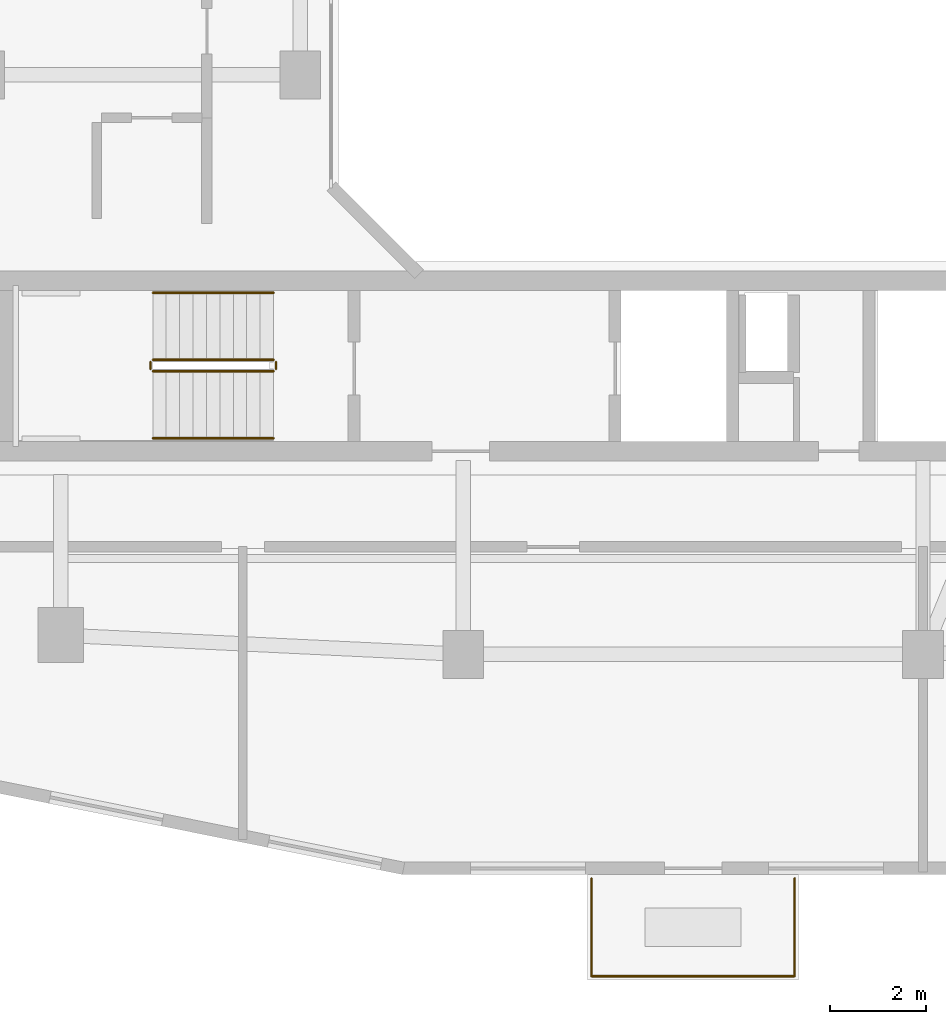
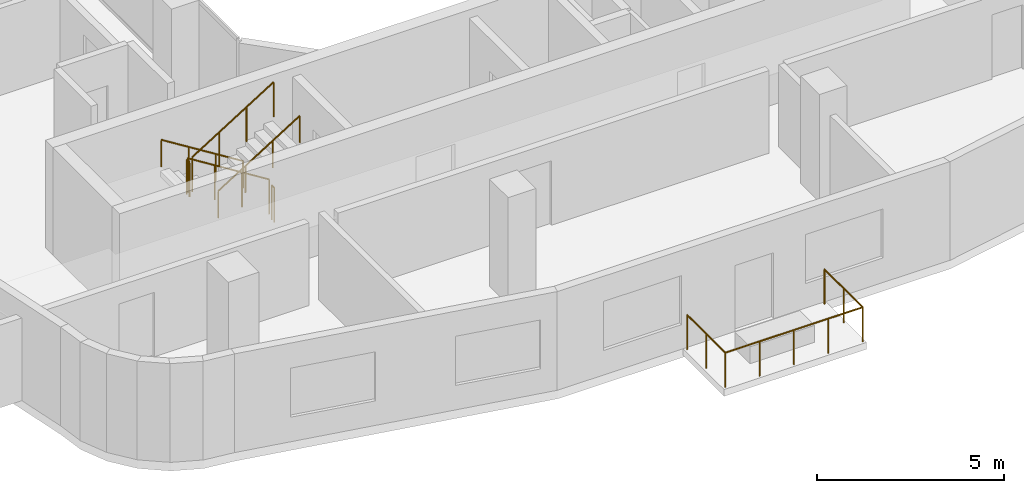
# One storey, part 18 of 22: 9 railings.
"""IFC4 building model written with IfcOpenShell, lengths in metres."""

from ifc_helpers import new_model, si_unit, derived_unit, direction, frame, origin, origin_2d, place, context, subcontext, project, spatial, circle, extrude, material, type_object, element, save


model = new_model("IFC4")

# Units and contexts
model_context = context("Model", 3, precision=1e-05, world=origin(), true_north=direction((0.0, 1.0)))
body_context = subcontext(model_context, "Body", "Model", "MODEL_VIEW")
ifc_project = project(units=[si_unit("LENGTHUNIT", "METRE"), si_unit("AREAUNIT", "SQUARE_METRE"), si_unit("VOLUMEUNIT", "CUBIC_METRE"), si_unit("PLANEANGLEUNIT", "RADIAN"), si_unit("MASSUNIT", "GRAM", prefix="KILO"), derived_unit("THERMALTRANSMITTANCEUNIT", [(si_unit("POWERUNIT", "WATT"), 1), (si_unit("LENGTHUNIT", "METRE"), -2), (si_unit("THERMODYNAMICTEMPERATUREUNIT", "KELVIN"), -1)])], contexts=[model_context])

# Site, building, storey
site_placement = place(None, origin())
site = spatial("IfcSite", under=ifc_project, at=site_placement, CompositionType="ELEMENT")
building_placement = place(site_placement, origin())
building = spatial("IfcBuilding", under=site, at=building_placement, Name="Kivonza Crest Hotel", CompositionType="ELEMENT")
storey_placement = place(building_placement, frame((0.0, 0.0, 112.5)))
storey = spatial("IfcBuildingStorey", under=building, at=storey_placement, Name="L30", CompositionType="ELEMENT", Elevation=112.5)

# Railings
ifc_material_1 = material(Name="Brushed stainless steel handrail", Category="steel")
railing_type_1 = type_object("IfcRailingType", Name="RL-HAND-900", PredefinedType="HANDRAIL", material=ifc_material_1)
railing_1_placement = place(storey_placement, frame((12.239990234375, 16.949951171875, 0.175048828125)))
element("IfcRailing", 1, at=railing_1_placement, inside=storey, type_object=railing_type_1, Name="L30 ST-T1-S stair handrail 1", PredefinedType="HANDRAIL", context=body_context, shape_type="SweptSolid", body=[
    extrude(circle(Radius=0.02392578125, at=origin_2d()), frame((0.0, 0.0, 0.8759765625), z_axis=(-0.848007534815, 0.0, 0.529984170421), x_axis=(0.0, -1.0, 0.0)), (0.0, 0.0, 1.0), 2.9716796875),
    extrude(circle(Radius=0.02099609375, at=origin_2d()), origin(), (0.0, 0.0, 1.0), 0.851806640625),
    extrude(circle(Radius=0.02099609375, at=origin_2d()), frame((-0.840087890625, 0.0, 0.52490234375)), (0.0, 0.0, 1.0), 0.851806640625),
    extrude(circle(Radius=0.02099609375, at=origin_2d()), frame((-1.679931640625, 0.0, 1.050048828125)), (0.0, 0.0, 1.0), 0.851806640625),
    extrude(circle(Radius=0.02099609375, at=origin_2d()), frame((-2.52001953125, 0.0, 1.574951171875)), (0.0, 0.0, 1.0), 0.851806640625),
])
railing_2_placement = place(storey_placement, frame((9.719970703125, 13.909912109375, 1.925048828125)))
element("IfcRailing", 2, at=railing_2_placement, inside=storey, type_object=railing_type_1, Name="L30 ST-T1-S stair handrail 2", PredefinedType="HANDRAIL", context=body_context, shape_type="SweptSolid", body=[
    extrude(circle(Radius=0.02392578125, at=origin_2d()), frame((0.0, 0.0, 0.8759765625), z_axis=(0.848007534815, 0.0, 0.529984170421), x_axis=(0.0, 1.0, 0.0)), (0.0, 0.0, 1.0), 2.9716796875),
    extrude(circle(Radius=0.02099609375, at=origin_2d()), origin(), (0.0, 0.0, 1.0), 0.851806640625),
    extrude(circle(Radius=0.02099609375, at=origin_2d()), frame((0.840087890625, 0.0, 0.52490234375)), (0.0, 0.0, 1.0), 0.851806640625),
    extrude(circle(Radius=0.02099609375, at=origin_2d()), frame((1.679931640625, 0.0, 1.050048828125)), (0.0, 0.0, 1.0), 0.851806640625),
    extrude(circle(Radius=0.02099609375, at=origin_2d()), frame((2.52001953125, 0.0, 1.574951171875)), (0.0, 0.0, 1.0), 0.851806640625),
])
ifc_material_2 = material(Name="Painted steel balustrade", Category="steel")
railing_type_2 = type_object("IfcRailingType", Name="RL-STAIR-1150", PredefinedType="BALUSTRADE", material=ifc_material_2)
railing_3_placement = place(storey_placement, frame((12.239990234375, 15.550048828125, 0.175048828125)))
element("IfcRailing", 3, at=railing_3_placement, inside=storey, type_object=railing_type_2, Name="L30 ST-T1-S stair guard 1", PredefinedType="BALUSTRADE", context=body_context, shape_type="SweptSolid", body=[
    extrude(circle(Radius=0.02392578125, at=origin_2d()), frame((0.0, 0.0, 1.1259765625), z_axis=(-0.848007534815, 0.0, 0.529984170421), x_axis=(0.0, -1.0, 0.0)), (0.0, 0.0, 1.0), 2.9716796875),
    extrude(circle(Radius=0.02099609375, at=origin_2d()), origin(), (0.0, 0.0, 1.0), 1.101806640625),
    extrude(circle(Radius=0.02099609375, at=origin_2d()), frame((-0.840087890625, 0.0, 0.52490234375)), (0.0, 0.0, 1.0), 1.101806640625),
    extrude(circle(Radius=0.02099609375, at=origin_2d()), frame((-1.679931640625, 0.0, 1.050048828125)), (0.0, 0.0, 1.0), 1.101806640625),
    extrude(circle(Radius=0.02099609375, at=origin_2d()), frame((-2.52001953125, 0.0, 1.574951171875)), (0.0, 0.0, 1.0), 1.101806640625),
])
railing_4_placement = place(storey_placement, frame((9.669921875, 15.5, 1.75)))
element("IfcRailing", 4, at=railing_4_placement, inside=storey, type_object=railing_type_2, Name="L30 ST-T1-S stair guard 2", PredefinedType="BALUSTRADE", context=body_context, shape_type="SweptSolid", body=[
    extrude(circle(Radius=0.02392578125, at=origin_2d()), frame((0.0, 0.0, 1.1259765625), z_axis=(0.0, -1.0, 0.0), x_axis=(1.0, 0.0, 0.0)), (0.0, 0.0, 1.0), 0.139892578125),
    extrude(circle(Radius=0.02099609375, at=origin_2d()), origin(), (0.0, 0.0, 1.0), 1.101806640625),
    extrude(circle(Radius=0.02099609375, at=origin_2d()), frame((0.0, -0.139892578125, 0.0)), (0.0, 0.0, 1.0), 1.101806640625),
])
railing_5_placement = place(storey_placement, frame((9.719970703125, 15.31005859375, 1.925048828125)))
element("IfcRailing", 5, at=railing_5_placement, inside=storey, type_object=railing_type_2, Name="L30 ST-T1-S stair guard 3", PredefinedType="BALUSTRADE", context=body_context, shape_type="SweptSolid", body=[
    extrude(circle(Radius=0.02392578125, at=origin_2d()), frame((0.0, 0.0, 1.1259765625), z_axis=(0.848007534815, 0.0, 0.529984170421), x_axis=(0.0, 1.0, 0.0)), (0.0, 0.0, 1.0), 2.9716796875),
    extrude(circle(Radius=0.02099609375, at=origin_2d()), origin(), (0.0, 0.0, 1.0), 1.101806640625),
    extrude(circle(Radius=0.02099609375, at=origin_2d()), frame((0.840087890625, 0.0, 0.52490234375)), (0.0, 0.0, 1.0), 1.101806640625),
    extrude(circle(Radius=0.02099609375, at=origin_2d()), frame((1.679931640625, 0.0, 1.050048828125)), (0.0, 0.0, 1.0), 1.101806640625),
    extrude(circle(Radius=0.02099609375, at=origin_2d()), frame((2.52001953125, 0.0, 1.574951171875)), (0.0, 0.0, 1.0), 1.101806640625),
])
railing_6_placement = place(storey_placement, frame((12.2900390625, 15.5, 0.0)))
element("IfcRailing", 6, at=railing_6_placement, inside=storey, type_object=railing_type_2, Name="L30 ST-T1-S stair guard 4", PredefinedType="BALUSTRADE", context=body_context, shape_type="SweptSolid", body=[
    extrude(circle(Radius=0.02392578125, at=origin_2d()), frame((0.0, 0.0, 1.1259765625), z_axis=(0.0, -1.0, 0.0), x_axis=(1.0, 0.0, 0.0)), (0.0, 0.0, 1.0), 0.139892578125),
    extrude(circle(Radius=0.02099609375, at=origin_2d()), origin(), (0.0, 0.0, 1.0), 1.101806640625),
    extrude(circle(Radius=0.02099609375, at=origin_2d()), frame((0.0, -0.139892578125, 0.0)), (0.0, 0.0, 1.0), 1.101806640625),
])
ifc_material_3 = material(Name="Laminated glass and stainless steel balustrade", Category="steel")
railing_type_3 = type_object("IfcRailingType", Name="RL-TERR-1150", PredefinedType="BALUSTRADE", material=ifc_material_3)
railing_7_placement = place(storey_placement, frame((18.8798828125, 2.679931640625, 0.0)))
element("IfcRailing", 7, at=railing_7_placement, inside=storey, type_object=railing_type_3, Name="L30 T1-L30-SG-SW perimeter safety balustrade 1", PredefinedType="BALUSTRADE", context=body_context, shape_type="SweptSolid", body=[
    extrude(circle(Radius=0.02392578125, at=origin_2d()), frame((0.0, 0.0, 1.1259765625), z_axis=(0.0, 1.0, 0.0), x_axis=(-1.0, 0.0, 0.0)), (0.0, 0.0, 1.0), 2.0400390625),
    extrude(circle(Radius=0.02099609375, at=origin_2d()), origin(), (0.0, 0.0, 1.0), 1.101806640625),
    extrude(circle(Radius=0.02099609375, at=origin_2d()), frame((0.0, 1.02001953125, 0.0)), (0.0, 0.0, 1.0), 1.101806640625),
    extrude(circle(Radius=0.02099609375, at=origin_2d()), frame((0.0, 2.0400390625, 0.0)), (0.0, 0.0, 1.0), 1.101806640625),
])
railing_8_placement = place(storey_placement, frame((23.1201171875, 4.719970703125, 0.0)))
element("IfcRailing", 8, at=railing_8_placement, inside=storey, type_object=railing_type_3, Name="L30 T1-L30-SG-SW perimeter safety balustrade 2", PredefinedType="BALUSTRADE", context=body_context, shape_type="SweptSolid", body=[
    extrude(circle(Radius=0.02392578125, at=origin_2d()), frame((0.0, 0.0, 1.1259765625), z_axis=(0.0, -1.0, 0.0), x_axis=(1.0, 0.0, 0.0)), (0.0, 0.0, 1.0), 2.0400390625),
    extrude(circle(Radius=0.02099609375, at=origin_2d()), origin(), (0.0, 0.0, 1.0), 1.101806640625),
    extrude(circle(Radius=0.02099609375, at=origin_2d()), frame((0.0, -1.02001953125, 0.0)), (0.0, 0.0, 1.0), 1.101806640625),
    extrude(circle(Radius=0.02099609375, at=origin_2d()), frame((0.0, -2.0400390625, 0.0)), (0.0, 0.0, 1.0), 1.101806640625),
])
railing_9_placement = place(storey_placement, frame((23.1201171875, 2.679931640625, 0.0)))
element("IfcRailing", 9, at=railing_9_placement, inside=storey, type_object=railing_type_3, Name="L30 T1-L30-SG-SW perimeter safety balustrade 3", PredefinedType="BALUSTRADE", context=body_context, shape_type="SweptSolid", body=[
    extrude(circle(Radius=0.02392578125, at=origin_2d()), frame((0.0, 0.0, 1.1259765625), z_axis=(-1.0, 0.0, 0.0), x_axis=(0.0, -1.0, 0.0)), (0.0, 0.0, 1.0), 4.240234375),
    extrude(circle(Radius=0.02099609375, at=origin_2d()), origin(), (0.0, 0.0, 1.0), 1.101806640625),
    extrude(circle(Radius=0.02099609375, at=origin_2d()), frame((-1.06005859375, 0.0, 0.0)), (0.0, 0.0, 1.0), 1.101806640625),
    extrude(circle(Radius=0.02099609375, at=origin_2d()), frame((-2.1201171875, 0.0, 0.0)), (0.0, 0.0, 1.0), 1.101806640625),
    extrude(circle(Radius=0.02099609375, at=origin_2d()), frame((-3.18017578125, 0.0, 0.0)), (0.0, 0.0, 1.0), 1.101806640625),
    extrude(circle(Radius=0.02099609375, at=origin_2d()), frame((-4.240234375, 0.0, 0.0)), (0.0, 0.0, 1.0), 1.101806640625),
])

save(model, "model.ifc")
